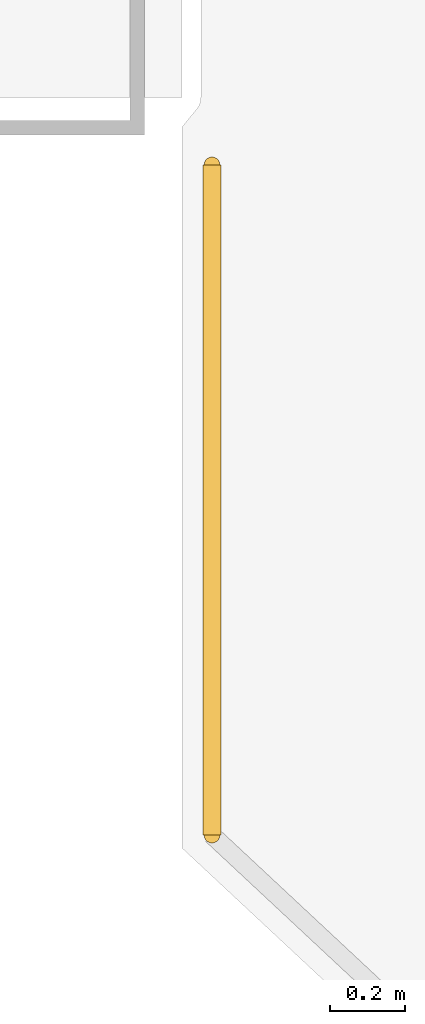
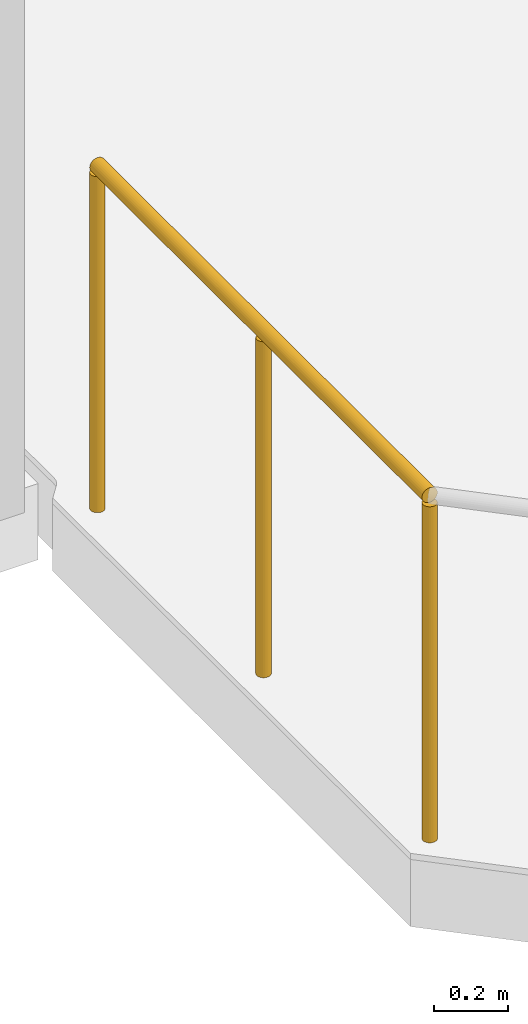
# One storey, part 15 of 19: 1 railing.
"""IFC4 building model written with IfcOpenShell, lengths in metres."""

from ifc_helpers import new_model, si_unit, direction, frame, origin, origin_2d, place, context, subcontext, project, spatial, circle, extrude, material, type_object, element, save


model = new_model("IFC4")

# Units and contexts
model_context = context("Model", 3, precision=1e-05, world=origin(), true_north=direction((0.0, 1.0)))
body_context = subcontext(model_context, "Body", "Model", "MODEL_VIEW")
ifc_project = project(units=[si_unit("LENGTHUNIT", "METRE"), si_unit("AREAUNIT", "SQUARE_METRE"), si_unit("VOLUMEUNIT", "CUBIC_METRE"), si_unit("PLANEANGLEUNIT", "RADIAN"), si_unit("MASSUNIT", "GRAM", prefix="KILO")], contexts=[model_context])

# Site, building, storey
site_placement = place(None, origin())
site = spatial("IfcSite", under=ifc_project, at=site_placement, CompositionType="ELEMENT")
building_placement = place(site_placement, origin())
building = spatial("IfcBuilding", under=site, at=building_placement, Name="Haolan Belvedere Tower", CompositionType="ELEMENT")
storey_placement = place(building_placement, frame((0.0, 0.0, 94.0)))
storey = spatial("IfcBuildingStorey", under=building, at=storey_placement, Name="L23", CompositionType="ELEMENT", Elevation=94.0)

# Railing
ifc_material = material(Name="Anodised aluminium and laminated glass balustrade", Category="aluminium")
railing_type = type_object("IfcRailingType", Name="RL-TER-BAL-1150", PredefinedType="BALUSTRADE", material=ifc_material)
railing_placement = place(storey_placement, frame((64.8798828125, 14.434814453125, 0.0)))
element("IfcRailing", 1, at=railing_placement, inside=storey, type_object=railing_type, Name="L23 outdoor perimeter balustrade TERR-L23-2-1", PredefinedType="BALUSTRADE", context=body_context, shape_type="SweptSolid", body=[
    extrude(circle(Radius=0.02392578125, at=origin_2d()), frame((0.0, 0.0, 1.1259765625), z_axis=(0.0, 1.0, 0.0), x_axis=(-1.0, 0.0, 0.0)), (0.0, 0.0, 1.0), 1.78515625),
    extrude(circle(Radius=0.02099609375, at=origin_2d()), origin(), (0.0, 0.0, 1.0), 1.101806640625),
    extrude(circle(Radius=0.02099609375, at=origin_2d()), frame((0.0, 0.892578125, 0.0)), (0.0, 0.0, 1.0), 1.101806640625),
    extrude(circle(Radius=0.02099609375, at=origin_2d()), frame((0.0, 1.78515625, 0.0)), (0.0, 0.0, 1.0), 1.101806640625),
])

save(model, "model.ifc")
